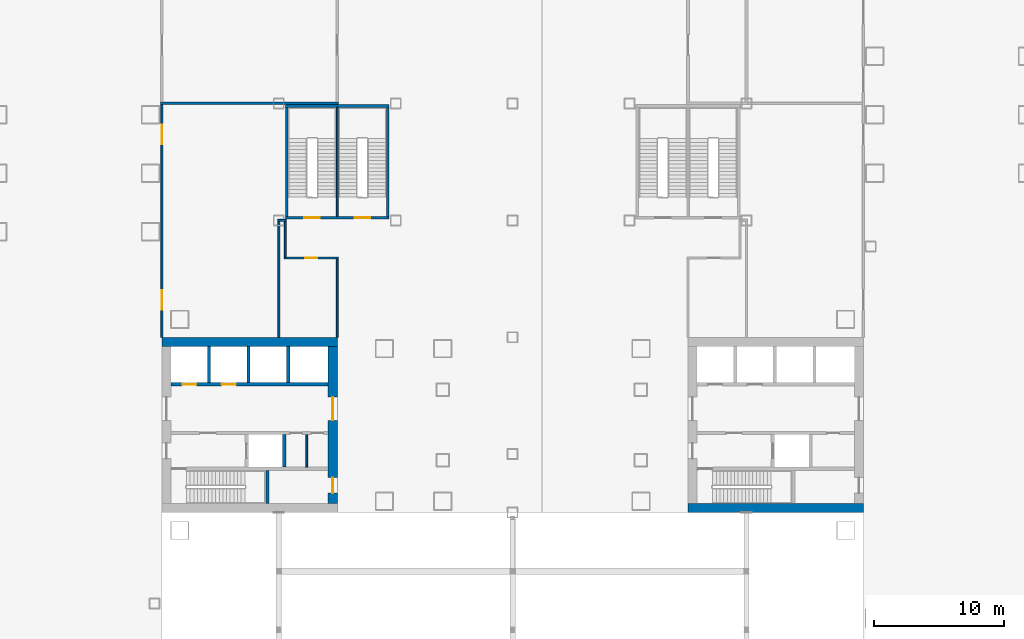
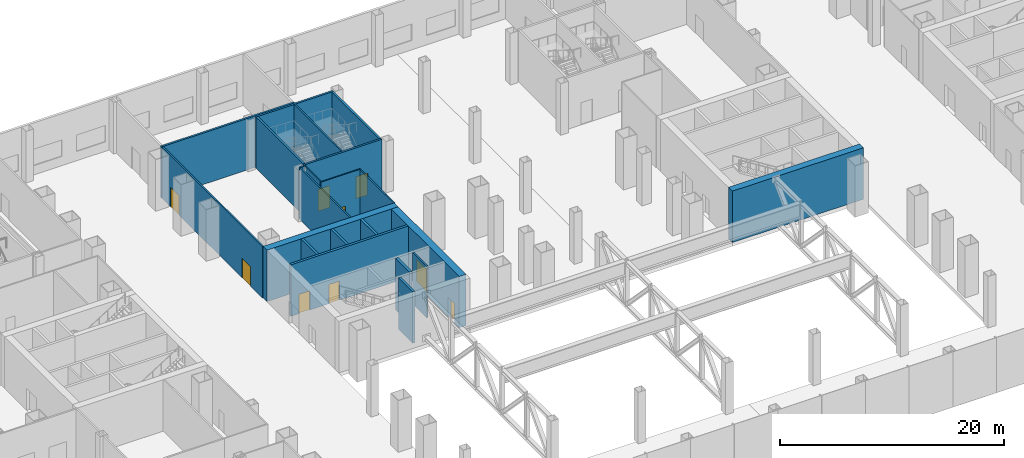
# One storey, part 20 of 33: 22 walls, 9 doors, 9 openings.
"""IFC4 building model written with IfcOpenShell, lengths in metres."""

from ifc_helpers import new_model, si_unit, direction, frame, frame_2d, origin, place, context, subcontext, project, spatial, rectangle, extrude, material, layer, layer_set, type_object, element, fill, save


model = new_model("IFC4")

# Units and contexts
model_context = context("Model", 3, precision=1e-05, world=origin(), true_north=direction((0.0, 1.0)))
body_context = subcontext(model_context, "Body", "Model", "MODEL_VIEW")
ifc_project = project(units=[si_unit("LENGTHUNIT", "METRE"), si_unit("AREAUNIT", "SQUARE_METRE"), si_unit("VOLUMEUNIT", "CUBIC_METRE"), si_unit("PLANEANGLEUNIT", "RADIAN"), si_unit("MASSUNIT", "GRAM", prefix="KILO")], contexts=[model_context])

# Site, building, storey
site_placement = place(None, origin())
site = spatial("IfcSite", under=ifc_project, at=site_placement, CompositionType="ELEMENT")
building_placement = place(site_placement, origin())
building = spatial("IfcBuilding", under=site, at=building_placement, Name="Shamsa Quay Exchange Towers", CompositionType="ELEMENT")
storey_placement = place(building_placement, frame((0.0, 0.0, 6.5)))
storey = spatial("IfcBuildingStorey", under=building, at=storey_placement, Name="L01", CompositionType="ELEMENT", Elevation=6.5)

# Walls
ifc_material_1 = material(Name="Double-leaf gypsum board partition with acoustic insulation")
ifc_layer_1 = layer(ifc_material_1, 0.199951171875)
ifc_layer_set_1 = layer_set([ifc_layer_1], Name="Acoustic partition 200 mm EI 60")
wall_type_1 = type_object("IfcWallType", Name="Acoustic partition 200 mm EI 60", PredefinedType="PARTITIONING", material=ifc_layer_set_1)
wall_1_placement = place(storey_placement, frame((-13.39990234375, 24.75, 0.0), z_axis=(0.0, 0.0, 1.0), x_axis=(-1.0, 0.0, 0.0)))
element("IfcWall", 1, at=wall_1_placement, inside=storey, type_object=wall_type_1, Name="Partition PD-L01-W59", PredefinedType="PARTITIONING", context=body_context, shape_type="SweptSolid", body=[
    extrude(rectangle(XDim=13.7001953125, YDim=0.199951171875, at=frame_2d((6.85009765625, 0.0))), origin(), (0.0, 0.0, 1.0), 5.60009765625),
])
ifc_material_2 = material(Name="Concrete C80/95", Category="concrete")
ifc_layer_2 = layer(ifc_material_2, 0.699951171875)
ifc_layer_set_2 = layer_set([ifc_layer_2], Name="CORE WALL 700 C80/95")
wall_type_2 = type_object("IfcWallType", Name="CORE WALL 700 C80/95", PredefinedType="SHEAR", material=ifc_layer_set_2)
wall_2_placement = place(storey_placement, frame((-27.0, 6.39990234375, 0.0)))
element("IfcWall", 2, at=wall_2_placement, inside=storey, type_object=wall_type_2, Name="Core wall T1A-L01-PN", PredefinedType="SHEAR", context=body_context, shape_type="SweptSolid", body=[
    extrude(rectangle(XDim=13.5, YDim=0.699951171875, at=frame_2d((6.75, 0.0))), origin(), (0.0, 0.0, 1.0), 5.60009765625),
])

# Wall, openings, doors
wall_3_placement = place(storey_placement, frame((-13.85009765625, 6.050048828125, 0.0), z_axis=(0.0, 0.0, 1.0), x_axis=(0.0, -1.0, 0.0)))
wall_3 = element("IfcWall", 3, at=wall_3_placement, inside=storey, type_object=wall_type_2, Name="Core wall T1A-L01-PB", PredefinedType="SHEAR", context=body_context, shape_type="SweptSolid", body=[
    extrude(rectangle(XDim=12.10009765625, YDim=0.699951171875, at=frame_2d((6.050048828125, 0.0))), origin(), (0.0, 0.0, 1.0), 5.60009765625),
])
opening_1_placement = place(wall_3_placement, frame((10.10009765625, 0.0, 0.0)))
opening_1 = element("IfcOpeningElement", 4, at=opening_1_placement, cuts=wall_3, Name="Opening T1A-L01-RD03", PredefinedType="OPENING", context=body_context, shape_type="SweptSolid", body=[
    extrude(rectangle(XDim=1.199951171875, YDim=2.10009765625, at=frame_2d((0.60009765625, 1.050048828125))), frame((0.0, 0.35986328125, 0.0), z_axis=(0.0, -1.0, 0.0), x_axis=(1.0, 0.0, 0.0)), (0.0, 0.0, 1.0), 0.719970703125),
])
opening_2_placement = place(wall_3_placement, frame((3.89990234375, 0.0, 0.0)))
opening_2 = element("IfcOpeningElement", 5, at=opening_2_placement, cuts=wall_3, Name="Opening T1A-L01-LBD04", PredefinedType="OPENING", context=body_context, shape_type="SweptSolid", body=[
    extrude(rectangle(XDim=1.800048828125, YDim=2.39990234375, at=frame_2d((0.89990234375, 1.199951171875))), frame((0.0, 0.35986328125, 0.0), z_axis=(0.0, -1.0, 0.0), x_axis=(1.0, 0.0, 0.0)), (0.0, 0.0, 1.0), 0.719970703125),
])
ifc_material_3 = material(Name="Steel, fire rated", Category="steel")
door_type_1 = type_object("IfcDoorType", Name="LIFT LOBBY DOOR PAIR 1800", OperationType="DOUBLE_DOOR_SINGLE_SWING", PredefinedType="DOOR", material=ifc_material_3)
door_1_placement = place(opening_2_placement, origin())
door_1 = element("IfcDoor", 6, at=door_1_placement, inside=storey, type_object=door_type_1, Name="T1A-L01-LBD04", OperationType="DOUBLE_DOOR_SINGLE_SWING", OverallHeight=2.39990234375, OverallWidth=1.800048828125, PredefinedType="DOOR", context=body_context, shape_type="SweptSolid", body=[
    extrude(rectangle(XDim=1.800048828125, YDim=2.39990234375, at=frame_2d((0.89990234375, 1.199951171875))), frame((0.0, 0.02490234375, 0.0), z_axis=(0.0, -1.0, 0.0), x_axis=(1.0, 0.0, 0.0)), (0.0, 0.0, 1.0), 0.050048828125),
])
fill(opening_2, door_1)
door_type_2 = type_object("IfcDoorType", Name="RISER ACCESS DOOR 1200", OperationType="SINGLE_SWING_LEFT", PredefinedType="DOOR", material=ifc_material_3)
door_2_placement = place(opening_1_placement, origin())
door_2 = element("IfcDoor", 7, at=door_2_placement, inside=storey, type_object=door_type_2, Name="T1A-L01-RD03", OperationType="SINGLE_SWING_RIGHT", OverallHeight=2.10009765625, OverallWidth=1.199951171875, PredefinedType="DOOR", context=body_context, shape_type="SweptSolid", body=[
    extrude(rectangle(XDim=1.199951171875, YDim=2.10009765625, at=frame_2d((0.60009765625, 1.050048828125))), frame((0.0, 0.02490234375, 0.0), z_axis=(0.0, -1.0, 0.0), x_axis=(1.0, 0.0, 0.0)), (0.0, 0.0, 1.0), 0.050048828125),
])
fill(opening_1, door_2)

# Walls
wall_4_placement = place(storey_placement, frame((13.5, -6.39990234375, 0.0)))
element("IfcWall", 8, at=wall_4_placement, inside=storey, type_object=wall_type_2, Name="Core wall T2A-L01-PS", PredefinedType="SHEAR", context=body_context, shape_type="SweptSolid", body=[
    extrude(rectangle(XDim=13.5, YDim=0.699951171875, at=frame_2d((6.75, 0.0))), origin(), (0.0, 0.0, 1.0), 5.60009765625),
])
ifc_material_4 = material(Name="Gypsum board on steel studs, EI 60", Category="steel")
ifc_layer_3 = layer(ifc_material_4, 0.14990234375)
ifc_layer_set_3 = layer_set([ifc_layer_3], Name="FIRE PARTITION 150")
wall_type_3 = type_object("IfcWallType", Name="FIRE PARTITION 150", PredefinedType="PARTITIONING", material=ifc_layer_set_3)
wall_5_placement = place(storey_placement, frame((-15.85009765625, -3.25, 0.0), z_axis=(0.0, 0.0, 1.0), x_axis=(0.0, 1.0, 0.0)))
element("IfcWall", 9, at=wall_5_placement, inside=storey, type_object=wall_type_3, Name="Partition T1A-L01-EC0", PredefinedType="PARTITIONING", context=body_context, shape_type="SweptSolid", body=[
    extrude(rectangle(XDim=2.5, YDim=0.14990234375, at=frame_2d((1.25, 0.0))), origin(), (0.0, 0.0, 1.0), 5.60009765625),
])
ifc_material_5 = material(Name="Laminated fire-resisting glass in a metal frame", Category="glass")
ifc_layer_4 = layer(ifc_material_5, 0.125)
ifc_layer_set_4 = layer_set([ifc_layer_4], Name="Glazed partition 125 mm EI 60")
wall_type_4 = type_object("IfcWallType", Name="Glazed partition 125 mm EI 60", PredefinedType="PARTITIONING", material=ifc_layer_set_4)
wall_6_placement = place(storey_placement, frame((-13.5, 6.75, 0.0), z_axis=(0.0, 0.0, 1.0), x_axis=(0.0, 1.0, 0.0)))
element("IfcWall", 10, at=wall_6_placement, inside=storey, type_object=wall_type_4, Name="Partition PD-L01-W14", PredefinedType="PARTITIONING", context=body_context, shape_type="SweptSolid", body=[
    extrude(rectangle(XDim=6.037109375, YDim=0.125, at=frame_2d((3.0185546875, 0.0))), origin(), (0.0, 0.0, 1.0), 5.60009765625),
])

# Wall, opening, door
wall_7_placement = place(storey_placement, frame((-13.4375, 12.849609375, 0.0), z_axis=(0.0, 0.0, 1.0), x_axis=(-1.0, 0.0, 0.0)))
wall_7 = element("IfcWall", 11, at=wall_7_placement, inside=storey, type_object=wall_type_4, Name="Partition PD-L01-W24", PredefinedType="PARTITIONING", context=body_context, shape_type="SweptSolid", body=[
    extrude(rectangle(XDim=4.125, YDim=0.125, at=frame_2d((2.0625, 0.0))), origin(), (0.0, 0.0, 1.0), 5.60009765625),
])
opening_3_placement = place(wall_7_placement, frame((1.612548828125, 0.0, 0.0)))
opening_3 = element("IfcOpeningElement", 12, at=opening_3_placement, cuts=wall_7, Name="Opening PD-L01-D18", PredefinedType="OPENING", context=body_context, shape_type="SweptSolid", body=[
    extrude(rectangle(XDim=0.89990234375, YDim=2.10009765625, at=frame_2d((0.449951171875, 1.050048828125))), frame((0.0, 0.072509765625, 0.0), z_axis=(0.0, -1.0, 0.0), x_axis=(1.0, 0.0, 0.0)), (0.0, 0.0, 1.0), 0.14501953125),
])
ifc_material_6 = material(Name="Timber door leaf in a metal frame", Category="wood")
door_type_3 = type_object("IfcDoorType", Name="Door 900x2100 FD30S", OperationType="NOTDEFINED", PredefinedType="DOOR", material=ifc_material_6)
door_3_placement = place(opening_3_placement, origin())
door_3 = element("IfcDoor", 13, at=door_3_placement, inside=storey, type_object=door_type_3, Name="Door PD-L01-D18", OperationType="SINGLE_SWING_RIGHT", OverallHeight=2.10009765625, OverallWidth=0.89990234375, PredefinedType="DOOR", context=body_context, shape_type="SweptSolid", body=[
    extrude(rectangle(XDim=0.89990234375, YDim=2.10009765625, at=frame_2d((0.449951171875, 1.050048828125))), frame((0.0, 0.02490234375, 0.0), z_axis=(0.0, -1.0, 0.0), x_axis=(1.0, 0.0, 0.0)), (0.0, 0.0, 1.0), 0.050048828125),
])
fill(opening_3, door_3)

# Wall
wall_8_placement = place(storey_placement, frame((-17.5, 12.912109375, 0.0), z_axis=(0.0, 0.0, 1.0), x_axis=(0.0, 1.0, 0.0)))
element("IfcWall", 14, at=wall_8_placement, inside=storey, type_object=wall_type_4, Name="Partition PD-L01-W27", PredefinedType="PARTITIONING", context=body_context, shape_type="SweptSolid", body=[
    extrude(rectangle(XDim=2.762939453125, YDim=0.125, at=frame_2d((1.38134765625, 0.0))), origin(), (0.0, 0.0, 1.0), 5.60009765625),
])

# Wall, openings, doors
ifc_material_7 = material(Name="Gypsum board partition on metal studs")
ifc_layer_5 = layer(ifc_material_7, 0.14990234375)
ifc_layer_set_5 = layer_set([ifc_layer_5], Name="Partition 150 mm EI 60")
wall_type_5 = type_object("IfcWallType", Name="Partition 150 mm EI 60", PredefinedType="PARTITIONING", material=ifc_layer_set_5)
wall_9_placement = place(storey_placement, frame((-27.0, 6.75, 0.0), z_axis=(0.0, 0.0, 1.0), x_axis=(0.0, 1.0, 0.0)))
wall_9 = element("IfcWall", 15, at=wall_9_placement, inside=storey, type_object=wall_type_5, Name="Partition PD-L01-W01", PredefinedType="PARTITIONING", context=body_context, shape_type="SweptSolid", body=[
    extrude(rectangle(XDim=17.89990234375, YDim=0.14990234375, at=frame_2d((8.949951171875, 0.0))), origin(), (0.0, 0.0, 1.0), 5.60009765625),
])
opening_4_placement = place(wall_9_placement, frame((2.10009765625, 0.0, 0.0)))
opening_4 = element("IfcOpeningElement", 16, at=opening_4_placement, cuts=wall_9, Name="Opening PD-L01-D15", PredefinedType="OPENING", context=body_context, shape_type="SweptSolid", body=[
    extrude(rectangle(XDim=1.5, YDim=2.10009765625, at=frame_2d((0.75, 1.050048828125))), frame((0.0, 0.0849609375, 0.0), z_axis=(0.0, -1.0, 0.0), x_axis=(1.0, 0.0, 0.0)), (0.0, 0.0, 1.0), 0.169921875),
])
opening_5_placement = place(wall_9_placement, frame((14.85009765625, 0.0, 0.0)))
opening_5 = element("IfcOpeningElement", 17, at=opening_5_placement, cuts=wall_9, Name="Opening PD-L01-D16", PredefinedType="OPENING", context=body_context, shape_type="SweptSolid", body=[
    extrude(rectangle(XDim=1.5, YDim=2.10009765625, at=frame_2d((0.75, 1.050048828125))), frame((0.0, 0.0849609375, 0.0), z_axis=(0.0, -1.0, 0.0), x_axis=(1.0, 0.0, 0.0)), (0.0, 0.0, 1.0), 0.169921875),
])
door_type_4 = type_object("IfcDoorType", Name="Door 1500x2100 FD30S pair", OperationType="NOTDEFINED", PredefinedType="DOOR", material=ifc_material_6)
door_4_placement = place(opening_4_placement, origin())
door_4 = element("IfcDoor", 18, at=door_4_placement, inside=storey, type_object=door_type_4, Name="Door PD-L01-D15", OperationType="DOUBLE_DOOR_SINGLE_SWING", OverallHeight=2.10009765625, OverallWidth=1.5, PredefinedType="DOOR", context=body_context, shape_type="SweptSolid", body=[
    extrude(rectangle(XDim=1.5, YDim=2.10009765625, at=frame_2d((0.75, 1.050048828125))), frame((0.0, 0.02490234375, 0.0), z_axis=(0.0, -1.0, 0.0), x_axis=(1.0, 0.0, 0.0)), (0.0, 0.0, 1.0), 0.050048828125),
])
fill(opening_4, door_4)
door_5_placement = place(opening_5_placement, origin())
door_5 = element("IfcDoor", 19, at=door_5_placement, inside=storey, type_object=door_type_4, Name="Door PD-L01-D16", OperationType="DOUBLE_DOOR_SINGLE_SWING", OverallHeight=2.10009765625, OverallWidth=1.5, PredefinedType="DOOR", context=body_context, shape_type="SweptSolid", body=[
    extrude(rectangle(XDim=1.5, YDim=2.10009765625, at=frame_2d((0.75, 1.050048828125))), frame((0.0, 0.02490234375, 0.0), z_axis=(0.0, -1.0, 0.0), x_axis=(1.0, 0.0, 0.0)), (0.0, 0.0, 1.0), 0.050048828125),
])
fill(opening_5, door_5)

# Walls
wall_10_placement = place(storey_placement, frame((-18.074951171875, 15.75, 0.0)))
element("IfcWall", 20, at=wall_10_placement, inside=storey, type_object=wall_type_5, Name="Partition PD-L01-W49", PredefinedType="PARTITIONING", context=body_context, shape_type="SweptSolid", body=[
    extrude(rectangle(XDim=0.637451171875, YDim=0.14990234375, at=frame_2d((0.31884765625, 0.0))), origin(), (0.0, 0.0, 1.0), 5.60009765625),
])
wall_11_placement = place(storey_placement, frame((-18.0, 6.75, 0.0), z_axis=(0.0, 0.0, 1.0), x_axis=(0.0, 1.0, 0.0)))
element("IfcWall", 21, at=wall_11_placement, inside=storey, type_object=wall_type_5, Name="Partition PD-L01-W60", PredefinedType="PARTITIONING", context=body_context, shape_type="SweptSolid", body=[
    extrude(rectangle(XDim=8.925048828125, YDim=0.14990234375, at=frame_2d((4.46240234375, 0.0))), origin(), (0.0, 0.0, 1.0), 5.60009765625),
])
ifc_material_8 = material(Name="Concrete C50/60", Category="concrete")
ifc_layer_6 = layer(ifc_material_8, 0.25)
ifc_layer_set_6 = layer_set([ifc_layer_6], Name="SHAFT WALL 250 C50/60")
wall_type_6 = type_object("IfcWallType", Name="SHAFT WALL 250 C50/60", PredefinedType="SHEAR", material=ifc_layer_set_6)
wall_12_placement = place(storey_placement, frame((-18.875, -6.050048828125, 0.0), z_axis=(0.0, 0.0, 1.0), x_axis=(0.0, 1.0, 0.0)))
element("IfcWall", 22, at=wall_12_placement, inside=storey, type_object=wall_type_6, Name="Shaft wall T1A-L01-STF", PredefinedType="SHEAR", context=body_context, shape_type="SweptSolid", body=[
    extrude(rectangle(XDim=2.550048828125, YDim=0.25, at=frame_2d((1.27490234375, 0.0))), origin(), (0.0, 0.0, 1.0), 5.60009765625),
])
wall_13_placement = place(storey_placement, frame((-17.574951171875, -3.25, 0.0), z_axis=(0.0, 0.0, 1.0), x_axis=(0.0, 1.0, 0.0)))
element("IfcWall", 23, at=wall_13_placement, inside=storey, type_object=wall_type_6, Name="Shaft wall T1A-L01-FFB", PredefinedType="SHEAR", context=body_context, shape_type="SweptSolid", body=[
    extrude(rectangle(XDim=2.5, YDim=0.25, at=frame_2d((1.25, 0.0))), origin(), (0.0, 0.0, 1.0), 5.60009765625),
])

# Wall, openings, doors
wall_14_placement = place(storey_placement, frame((-26.300048828125, 3.125, 0.0)))
wall_14 = element("IfcWall", 24, at=wall_14_placement, inside=storey, type_object=wall_type_6, Name="Shaft wall T1A-L01-N", PredefinedType="SHEAR", context=body_context, shape_type="SweptSolid", body=[
    extrude(rectangle(XDim=12.10009765625, YDim=0.25, at=frame_2d((6.050048828125, 0.0))), origin(), (0.0, 0.0, 1.0), 5.60009765625),
])
opening_6_placement = place(wall_14_placement, frame((0.85009765625, 0.0, 0.0)))
opening_6 = element("IfcOpeningElement", 25, at=opening_6_placement, cuts=wall_14, Name="Opening T1A-L01-LD10", PredefinedType="OPENING", context=body_context, shape_type="SweptSolid", body=[
    extrude(rectangle(XDim=1.10009765625, YDim=2.10009765625, at=frame_2d((0.550048828125, 1.050048828125))), frame((0.0, 0.135009765625, 0.0), z_axis=(0.0, -1.0, 0.0), x_axis=(1.0, 0.0, 0.0)), (0.0, 0.0, 1.0), 0.27001953125),
])
opening_7_placement = place(wall_14_placement, frame((3.89990234375, 0.0, 0.0)))
opening_7 = element("IfcOpeningElement", 26, at=opening_7_placement, cuts=wall_14, Name="Opening T1A-L01-LD11", PredefinedType="OPENING", context=body_context, shape_type="SweptSolid", body=[
    extrude(rectangle(XDim=1.10009765625, YDim=2.10009765625, at=frame_2d((0.550048828125, 1.050048828125))), frame((0.0, 0.135009765625, 0.0), z_axis=(0.0, -1.0, 0.0), x_axis=(1.0, 0.0, 0.0)), (0.0, 0.0, 1.0), 0.27001953125),
])
door_type_5 = type_object("IfcDoorType", Name="LANDING DOOR 1100", OperationType="SLIDING_TO_LEFT", PredefinedType="DOOR", material=ifc_material_3)
door_6_placement = place(opening_6_placement, origin())
door_6 = element("IfcDoor", 27, at=door_6_placement, inside=storey, type_object=door_type_5, Name="T1A-L01-LD10", OperationType="SLIDING_TO_LEFT", OverallHeight=2.10009765625, OverallWidth=1.10009765625, PredefinedType="DOOR", context=body_context, shape_type="SweptSolid", body=[
    extrude(rectangle(XDim=1.10009765625, YDim=2.10009765625, at=frame_2d((0.550048828125, 1.050048828125))), frame((0.0, 0.02490234375, 0.0), z_axis=(0.0, -1.0, 0.0), x_axis=(1.0, 0.0, 0.0)), (0.0, 0.0, 1.0), 0.050048828125),
])
fill(opening_6, door_6)
door_7_placement = place(opening_7_placement, origin())
door_7 = element("IfcDoor", 28, at=door_7_placement, inside=storey, type_object=door_type_5, Name="T1A-L01-LD11", OperationType="SLIDING_TO_LEFT", OverallHeight=2.10009765625, OverallWidth=1.10009765625, PredefinedType="DOOR", context=body_context, shape_type="SweptSolid", body=[
    extrude(rectangle(XDim=1.10009765625, YDim=2.10009765625, at=frame_2d((0.550048828125, 1.050048828125))), frame((0.0, 0.02490234375, 0.0), z_axis=(0.0, -1.0, 0.0), x_axis=(1.0, 0.0, 0.0)), (0.0, 0.0, 1.0), 0.050048828125),
])
fill(opening_7, door_7)

# Walls
for number, where, z_axis, x_axis, name in (
    (29, (-23.375, 3.25, 0.0), (0.0, 0.0, 1.0), (0.0, 1.0, 0.0), "Shaft wall T1A-L01-D0"),
    (30, (-20.324951171875, 3.25, 0.0), (0.0, 0.0, 1.0), (0.0, 1.0, 0.0), "Shaft wall T1A-L01-D1"),
    (31, (-17.27490234375, 3.25, 0.0), (0.0, 0.0, 1.0), (0.0, 1.0, 0.0), "Shaft wall T1A-L01-D2"),
):
    element("IfcWall", number, at=place(storey_placement, frame(where, z_axis=z_axis, x_axis=x_axis)), inside=storey, type_object=wall_type_6, Name=name, PredefinedType="SHEAR", context=body_context, shape_type="SweptSolid", body=[
        extrude(rectangle(XDim=2.800048828125, YDim=0.25, at=frame_2d((1.39990234375, 0.0))), origin(), (0.0, 0.0, 1.0), 5.60009765625),
    ])

# Wall, openings, doors
ifc_layer_7 = layer(ifc_material_8, 0.199951171875)
ifc_layer_set_7 = layer_set([ifc_layer_7], Name="STAIR ENCLOSURE WALL 200 C50/60")
wall_type_7 = type_object("IfcWallType", Name="STAIR ENCLOSURE WALL 200 C50/60", PredefinedType="SHEAR", material=ifc_layer_set_7)
wall_15_placement = place(storey_placement, frame((-17.5, 15.949951171875, 0.0)))
wall_15 = element("IfcWall", 32, at=wall_15_placement, inside=storey, type_object=wall_type_7, Name="Stair enclosure wall PS2 inward", PredefinedType="SHEAR", context=body_context, shape_type="SweptSolid", body=[
    extrude(rectangle(XDim=8.0, YDim=0.199951171875, at=frame_2d((4.0, 0.0))), origin(), (0.0, 0.0, 1.0), 5.60009765625),
])
opening_8_placement = place(wall_15_placement, frame((1.46240234375, 0.0, 0.0)))
opening_8 = element("IfcOpeningElement", 33, at=opening_8_placement, cuts=wall_15, Name="Opening PS2A-L01-SD01", PredefinedType="OPENING", context=body_context, shape_type="SweptSolid", body=[
    extrude(rectangle(XDim=1.199951171875, YDim=2.39990234375, at=frame_2d((0.60009765625, 1.199951171875))), frame((0.0, 0.10986328125, 0.0), z_axis=(0.0, -1.0, 0.0), x_axis=(1.0, 0.0, 0.0)), (0.0, 0.0, 1.0), 0.219970703125),
])
opening_9_placement = place(wall_15_placement, frame((5.33740234375, 0.0, 0.0)))
opening_9 = element("IfcOpeningElement", 34, at=opening_9_placement, cuts=wall_15, Name="Opening PS2B-L01-SD01", PredefinedType="OPENING", context=body_context, shape_type="SweptSolid", body=[
    extrude(rectangle(XDim=1.199951171875, YDim=2.39990234375, at=frame_2d((0.60009765625, 1.199951171875))), frame((0.0, 0.10986328125, 0.0), z_axis=(0.0, -1.0, 0.0), x_axis=(1.0, 0.0, 0.0)), (0.0, 0.0, 1.0), 0.219970703125),
])
door_type_6 = type_object("IfcDoorType", Name="PODIUM STAIR DOOR 1200", OperationType="SINGLE_SWING_LEFT", PredefinedType="DOOR", material=ifc_material_3)
door_8_placement = place(opening_8_placement, origin())
door_8 = element("IfcDoor", 35, at=door_8_placement, inside=storey, type_object=door_type_6, Name="PS2A-L01-SD01", OperationType="SINGLE_SWING_LEFT", OverallHeight=2.39990234375, OverallWidth=1.199951171875, PredefinedType="DOOR", context=body_context, shape_type="SweptSolid", body=[
    extrude(rectangle(XDim=1.199951171875, YDim=2.39990234375, at=frame_2d((0.60009765625, 1.199951171875))), frame((0.0, 0.02490234375, 0.0), z_axis=(0.0, -1.0, 0.0), x_axis=(1.0, 0.0, 0.0)), (0.0, 0.0, 1.0), 0.050048828125),
])
fill(opening_8, door_8)
door_9_placement = place(opening_9_placement, origin())
door_9 = element("IfcDoor", 36, at=door_9_placement, inside=storey, type_object=door_type_6, Name="PS2B-L01-SD01", OperationType="SINGLE_SWING_RIGHT", OverallHeight=2.39990234375, OverallWidth=1.199951171875, PredefinedType="DOOR", context=body_context, shape_type="SweptSolid", body=[
    extrude(rectangle(XDim=1.199951171875, YDim=2.39990234375, at=frame_2d((0.60009765625, 1.199951171875))), frame((0.0, 0.02490234375, 0.0), z_axis=(0.0, -1.0, 0.0), x_axis=(1.0, 0.0, 0.0)), (0.0, 0.0, 1.0), 0.050048828125),
])
fill(opening_9, door_9)

# Walls
wall_16_placement = place(storey_placement, frame((-17.5, 24.550048828125, 0.0)))
element("IfcWall", 37, at=wall_16_placement, inside=storey, type_object=wall_type_7, Name="Stair enclosure wall PS2 outward", PredefinedType="SHEAR", context=body_context, shape_type="SweptSolid", body=[
    extrude(rectangle(XDim=8.0, YDim=0.199951171875, at=frame_2d((4.0, 0.0))), origin(), (0.0, 0.0, 1.0), 5.60009765625),
])
for number, where, z_axis, x_axis, name in (
    (38, (-17.39990234375, 16.050048828125, 0.0), (0.0, 0.0, 1.0), (0.0, 1.0, 0.0), "Stair enclosure wall PS2 west"),
    (39, (-9.60009765625, 16.050048828125, 0.0), (0.0, 0.0, 1.0), (0.0, 1.0, 0.0), "Stair enclosure wall PS2 east"),
):
    element("IfcWall", number, at=place(storey_placement, frame(where, z_axis=z_axis, x_axis=x_axis)), inside=storey, type_object=wall_type_7, Name=name, PredefinedType="SHEAR", context=body_context, shape_type="SweptSolid", body=[
        extrude(rectangle(XDim=8.39990234375, YDim=0.199951171875, at=frame_2d((4.199951171875, 0.0))), origin(), (0.0, 0.0, 1.0), 5.60009765625),
    ])
ifc_layer_8 = layer(ifc_material_8, 0.14990234375)
ifc_layer_set_8 = layer_set([ifc_layer_8], Name="STAIR PARTITION WALL 150 C50/60")
wall_type_8 = type_object("IfcWallType", Name="STAIR PARTITION WALL 150 C50/60", PredefinedType="SHEAR", material=ifc_layer_set_8)
wall_17_placement = place(storey_placement, frame((-13.5, 16.050048828125, 0.0), z_axis=(0.0, 0.0, 1.0), x_axis=(0.0, 1.0, 0.0)))
element("IfcWall", 40, at=wall_17_placement, inside=storey, type_object=wall_type_8, Name="Stair enclosure wall PS2 between the stairs", PredefinedType="SHEAR", context=body_context, shape_type="SweptSolid", body=[
    extrude(rectangle(XDim=8.39990234375, YDim=0.14990234375, at=frame_2d((4.199951171875, 0.0))), origin(), (0.0, 0.0, 1.0), 5.60009765625),
])

save(model, "model.ifc")
